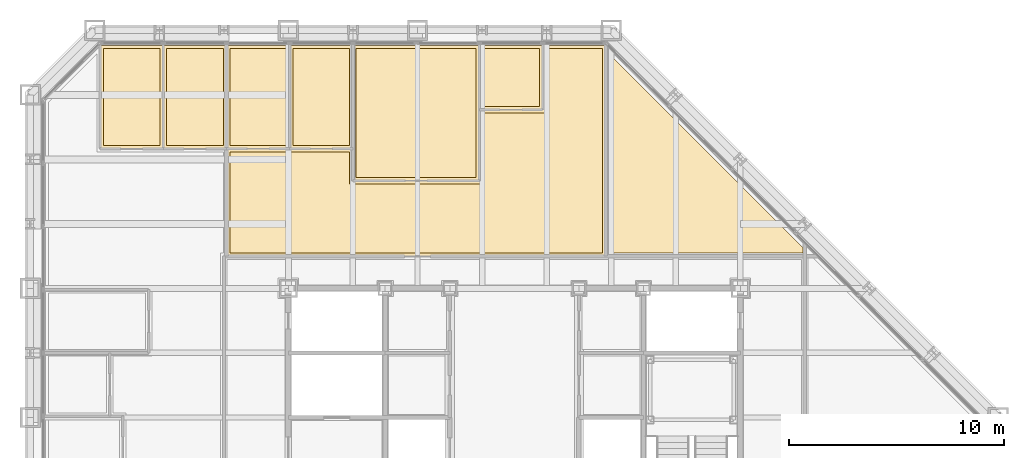
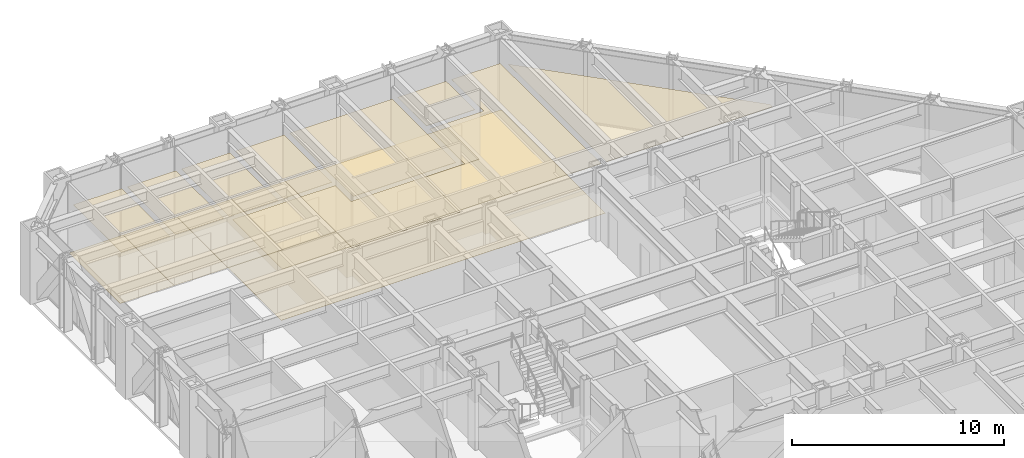
# One storey, part 16 of 16: 15 coverings.
"""IFC4 building model written with IfcOpenShell, lengths in metres."""

from ifc_helpers import new_model, si_unit, direction, frame, origin, place, context, subcontext, project, spatial, polyline, outline, extrude, material, layer, layer_set, type_object, element, save


model = new_model("IFC4")

# Units and contexts
model_context = context("Model", 3, precision=1e-05, world=origin(), true_north=direction((0.0, 1.0)))
body_context = subcontext(model_context, "Body", "Model", "MODEL_VIEW")
ifc_project = project(units=[si_unit("LENGTHUNIT", "METRE"), si_unit("AREAUNIT", "SQUARE_METRE"), si_unit("VOLUMEUNIT", "CUBIC_METRE"), si_unit("PLANEANGLEUNIT", "RADIAN"), si_unit("MASSUNIT", "GRAM", prefix="KILO")], contexts=[model_context])

# Site, building, storey
site_placement = place(None, origin())
site = spatial("IfcSite", under=ifc_project, at=site_placement, CompositionType="ELEMENT")
building_placement = place(site_placement, origin())
building = spatial("IfcBuilding", under=site, at=building_placement, Name="Chuquiago Exchange Tower", CompositionType="ELEMENT")
storey_placement = place(building_placement, frame((0.0, 0.0, 148.800048828125)))
storey = spatial("IfcBuildingStorey", under=building, at=storey_placement, Name="L32", CompositionType="ELEMENT", Elevation=148.800048828125)

# Coverings
ifc_material_1 = material(Name="Mineral fibre tile, 600 x 600, on pale metal grid", Category="mineral fibre")
ifc_layer_1 = layer(ifc_material_1, 0.02001953125)
ifc_layer_set_1 = layer_set([ifc_layer_1], Name="CL1 suspended tile ceiling 20")
covering_type_1 = type_object("IfcCoveringType", Name="CL1 suspended tile ceiling 20", PredefinedType="CEILING", material=ifc_layer_set_1)
covering_1_placement = place(storey_placement, frame((0.0, 0.0, 2.800048828125)))
element("IfcCovering", 1, at=covering_1_placement, inside=storey, type_object=covering_type_1, Name="Ceiling Office", PredefinedType="CEILING", context=body_context, shape_type="SweptSolid", body=[
    extrude(outline(polyline([(6.036376953125, 44.14990234375), (6.036376953125, 39.64990234375), (3.3984375, 39.64990234375), (3.3984375, 44.14990234375), (6.036376953125, 44.14990234375)])), origin(), (0.0, 0.0, 1.0), 0.02001953125),
])
covering_2_placement = place(storey_placement, frame((0.0, 0.0, 2.800048828125)))
element("IfcCovering", 2, at=covering_2_placement, inside=storey, type_object=covering_type_1, Name="Ceiling Office", PredefinedType="CEILING", context=body_context, shape_type="SweptSolid", body=[
    extrude(outline(polyline([(8.974365234375, 39.64990234375), (6.33642578125, 39.64990234375), (6.33642578125, 44.14990234375), (8.974365234375, 44.14990234375), (8.974365234375, 39.64990234375)])), origin(), (0.0, 0.0, 1.0), 0.02001953125),
])
covering_3_placement = place(storey_placement, frame((0.0, 0.0, 2.800048828125)))
element("IfcCovering", 3, at=covering_3_placement, inside=storey, type_object=covering_type_1, Name="Ceiling Office", PredefinedType="CEILING", context=body_context, shape_type="SweptSolid", body=[
    extrude(outline(polyline([(11.912109375, 39.64990234375), (9.2744140625, 39.64990234375), (9.2744140625, 44.14990234375), (11.912109375, 44.14990234375), (11.912109375, 39.64990234375)])), origin(), (0.0, 0.0, 1.0), 0.02001953125),
])
covering_4_placement = place(storey_placement, frame((0.0, 0.0, 2.800048828125)))
element("IfcCovering", 4, at=covering_4_placement, inside=storey, type_object=covering_type_1, Name="Ceiling Office", PredefinedType="CEILING", context=body_context, shape_type="SweptSolid", body=[
    extrude(outline(polyline([(14.85009765625, 39.64990234375), (12.212158203125, 39.64990234375), (12.212158203125, 44.14990234375), (14.85009765625, 44.14990234375), (14.85009765625, 39.64990234375)])), origin(), (0.0, 0.0, 1.0), 0.02001953125),
])
covering_5_placement = place(storey_placement, frame((0.0, 0.0, 2.800048828125)))
element("IfcCovering", 5, at=covering_5_placement, inside=storey, type_object=covering_type_1, Name="Ceiling Conference room", PredefinedType="CEILING", context=body_context, shape_type="SweptSolid", body=[
    extrude(outline(polyline([(20.7255859375, 38.14990234375), (15.14990234375, 38.14990234375), (15.14990234375, 44.14990234375), (20.7255859375, 44.14990234375), (20.7255859375, 38.14990234375)])), origin(), (0.0, 0.0, 1.0), 0.02001953125),
])
covering_6_placement = place(storey_placement, frame((0.0, 0.0, 2.800048828125)))
element("IfcCovering", 6, at=covering_6_placement, inside=storey, type_object=covering_type_1, Name="Ceiling Focus room", PredefinedType="CEILING", context=body_context, shape_type="SweptSolid", body=[
    extrude(outline(polyline([(23.66357421875, 41.449951171875), (21.025634765625, 41.449951171875), (21.025634765625, 44.14990234375), (23.66357421875, 44.14990234375), (23.66357421875, 41.449951171875)])), origin(), (0.0, 0.0, 1.0), 0.02001953125),
])
covering_7_placement = place(storey_placement, frame((0.0, 0.0, 2.800048828125)))
element("IfcCovering", 7, at=covering_7_placement, inside=storey, type_object=covering_type_1, Name="Ceiling Open office north suite", PredefinedType="CEILING", context=body_context, shape_type="SweptSolid", body=[
    extrude(outline(polyline([(14.85009765625, 39.35009765625), (14.85009765625, 37.85009765625), (21.025634765625, 37.85009765625), (21.025634765625, 41.14990234375), (23.963623046875, 41.14990234375), (23.963623046875, 44.14990234375), (26.60107421875, 44.14990234375), (26.60107421875, 34.650390625), (9.27490234375, 34.650390625), (9.27490234375, 39.35009765625), (14.85009765625, 39.35009765625)])), origin(), (0.0, 0.0, 1.0), 0.02001953125),
])
covering_8_placement = place(storey_placement, frame((0.0, 0.0, 2.800048828125)))
element("IfcCovering", 8, at=covering_8_placement, inside=storey, type_object=covering_type_1, Name="Ceiling Open office east suite", PredefinedType="CEILING", context=body_context, shape_type="SweptSolid", body=[
    extrude(outline(polyline([(26.902099609375, 34.650390625), (26.902099609375, 43.89599609375), (35.9150390625, 34.883056640625), (35.9150390625, 34.650146484375), (26.902099609375, 34.650390625)])), origin(), (0.0, 0.0, 1.0), 0.02001953125),
])
ifc_material_2 = material(Name="Carpet tile, 500 x 500, on the floor slab", Category="textile")
ifc_layer_2 = layer(ifc_material_2, 0.010009765625)
ifc_layer_set_2 = layer_set([ifc_layer_2], Name="FL1 carpet tile 10")
covering_type_2 = type_object("IfcCoveringType", Name="FL1 carpet tile 10", PredefinedType="FLOORING", material=ifc_layer_set_2)
covering_9_placement = place(storey_placement, origin())
element("IfcCovering", 9, at=covering_9_placement, inside=storey, type_object=covering_type_2, Name="Floor finish Office", PredefinedType="FLOORING", context=body_context, shape_type="SweptSolid", body=[
    extrude(outline(polyline([(3.289794921875, 44.300048828125), (6.186279296875, 44.300048828125), (6.186279296875, 39.5), (3.24853515625, 39.5), (3.24853515625, 44.258544921875), (3.289794921875, 44.300048828125)])), origin(), (0.0, 0.0, 1.0), 0.010009765625),
])
covering_10_placement = place(storey_placement, origin())
element("IfcCovering", 10, at=covering_10_placement, inside=storey, type_object=covering_type_2, Name="Floor finish Office", PredefinedType="FLOORING", context=body_context, shape_type="SweptSolid", body=[
    extrude(outline(polyline([(9.124267578125, 44.300048828125), (9.124267578125, 39.5), (6.186279296875, 39.5), (6.186279296875, 44.300048828125), (9.124267578125, 44.300048828125)])), origin(), (0.0, 0.0, 1.0), 0.010009765625),
])
covering_11_placement = place(storey_placement, origin())
element("IfcCovering", 11, at=covering_11_placement, inside=storey, type_object=covering_type_2, Name="Floor finish Office", PredefinedType="FLOORING", context=body_context, shape_type="SweptSolid", body=[
    extrude(outline(polyline([(12.06201171875, 44.300048828125), (12.06201171875, 39.5), (9.124267578125, 39.5), (9.124267578125, 44.300048828125), (12.06201171875, 44.300048828125)])), origin(), (0.0, 0.0, 1.0), 0.010009765625),
])
covering_12_placement = place(storey_placement, origin())
element("IfcCovering", 12, at=covering_12_placement, inside=storey, type_object=covering_type_2, Name="Floor finish Office", PredefinedType="FLOORING", context=body_context, shape_type="SweptSolid", body=[
    extrude(outline(polyline([(15.0, 44.300048828125), (15.0, 39.5), (12.06201171875, 39.5), (12.06201171875, 44.300048828125), (15.0, 44.300048828125)])), origin(), (0.0, 0.0, 1.0), 0.010009765625),
])
covering_13_placement = place(storey_placement, origin())
element("IfcCovering", 13, at=covering_13_placement, inside=storey, type_object=covering_type_2, Name="Floor finish Conference room", PredefinedType="FLOORING", context=body_context, shape_type="SweptSolid", body=[
    extrude(outline(polyline([(20.875732421875, 44.300048828125), (20.875732421875, 38.0), (15.0, 38.0), (15.0, 44.300048828125), (20.875732421875, 44.300048828125)])), origin(), (0.0, 0.0, 1.0), 0.010009765625),
])
covering_14_placement = place(storey_placement, origin())
element("IfcCovering", 14, at=covering_14_placement, inside=storey, type_object=covering_type_2, Name="Floor finish Focus room", PredefinedType="FLOORING", context=body_context, shape_type="SweptSolid", body=[
    extrude(outline(polyline([(23.813720703125, 44.300048828125), (23.813720703125, 41.300048828125), (20.875732421875, 41.300048828125), (20.875732421875, 44.300048828125), (23.813720703125, 44.300048828125)])), origin(), (0.0, 0.0, 1.0), 0.010009765625),
])
covering_15_placement = place(storey_placement, origin())
element("IfcCovering", 15, at=covering_15_placement, inside=storey, type_object=covering_type_2, Name="Floor finish Open office north suite", PredefinedType="FLOORING", context=body_context, shape_type="SweptSolid", body=[
    extrude(outline(polyline([(9.124755859375, 39.5), (15.0, 39.5), (15.0, 38.0), (20.875732421875, 38.0), (20.875732421875, 41.300048828125), (23.813720703125, 41.300048828125), (23.813720703125, 44.300048828125), (26.710205078125, 44.300048828125), (26.751220703125, 44.2587890625), (26.7509765625, 34.50048828125), (9.124755859375, 34.50048828125), (9.124755859375, 39.5)])), origin(), (0.0, 0.0, 1.0), 0.010009765625),
])

save(model, "model.ifc")
